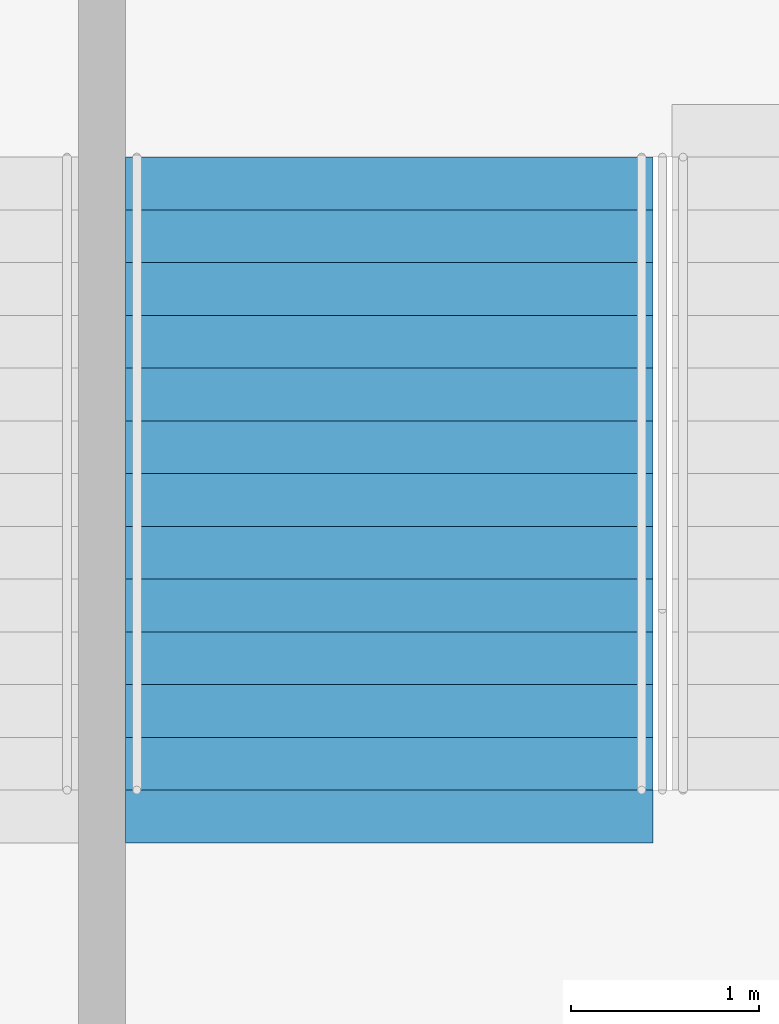
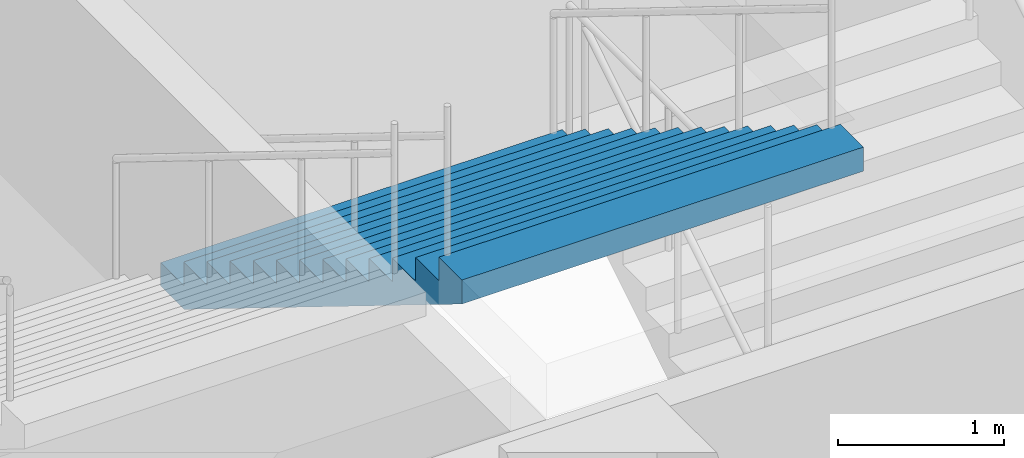
# One storey, part 150 of 177: 1 stair flight, 1 element without a shape of its own.
"""IFC4 building model written with IfcOpenShell, lengths in metres."""

from ifc_helpers import new_model, si_unit, direction, frame, origin, place, context, subcontext, project, spatial, faceted_brep, material, type_object, element, aggregate, save


model = new_model("IFC4")

# Units and contexts
model_context = context("Model", 3, precision=1e-05, world=origin(), true_north=direction((0.0, 1.0)))
body_context = subcontext(model_context, "Body", "Model", "MODEL_VIEW")
ifc_project = project(units=[si_unit("LENGTHUNIT", "METRE"), si_unit("AREAUNIT", "SQUARE_METRE"), si_unit("VOLUMEUNIT", "CUBIC_METRE"), si_unit("PLANEANGLEUNIT", "RADIAN"), si_unit("MASSUNIT", "GRAM", prefix="KILO")], contexts=[model_context])

# Site, building, storey
site_placement = place(None, origin())
site = spatial("IfcSite", under=ifc_project, at=site_placement, CompositionType="ELEMENT")
building_placement = place(site_placement, origin())
building = spatial("IfcBuilding", under=site, at=building_placement, Name="Ogive Plaza Stadium", CompositionType="ELEMENT")
storey_placement = place(building_placement, frame((0.0, 0.0, 18.0)))
storey = spatial("IfcBuildingStorey", under=building, at=storey_placement, Name="L04", CompositionType="ELEMENT", Elevation=18.0)

# Stair, stair flight
ifc_material_1 = material(Name="Concrete C40/50", Category="concrete")
stair_type = type_object("IfcStairType", Name="Exit stair", PredefinedType="STRAIGHT_RUN_STAIR", material=ifc_material_1)
stair_placement = place(storey_placement, origin())
stair = element("IfcStair", 1, at=stair_placement, inside=storey, type_object=stair_type, Name="Exit stair ST36A L04 to L05", PredefinedType="STRAIGHT_RUN_STAIR")
ifc_material_2 = material(Name="Concrete C40/50", Category="concrete")
stair_flight_type = type_object("IfcStairFlightType", Name="Exit stair flight", PredefinedType="STRAIGHT", material=ifc_material_2)
stair_flight_placement = place(storey_placement, frame((21.925048828125, 98.2099609375, 2.25), z_axis=(0.0, 0.0, 1.0), x_axis=(0.0, -1.0, 0.0)))
stair_flight = element("IfcStairFlight", 2, at=stair_flight_placement, type_object=stair_flight_type, Name="ST36A flight 2", NumberOfRisers=13, NumberOfTreads=12, PredefinedType="STRAIGHT", RiserHeight=0.173076923, TreadLength=0.28, context=body_context, shape_type="Brep", body=[
    faceted_brep([(0.28515625, -1.39990234375, 0.0), (3.639892578125, -1.39990234375, 2.07373046875), (3.639892578125, -1.39990234375, 2.25), (3.360107421875, -1.39990234375, 2.25), (3.360107421875, -1.39990234375, 2.076904296875), (3.080078125, -1.39990234375, 2.076904296875), (3.080078125, -1.39990234375, 1.90380859375), (2.800048828125, -1.39990234375, 1.90380859375), (2.800048828125, -1.39990234375, 1.730712890625), (2.52001953125, -1.39990234375, 1.730712890625), (2.52001953125, -1.39990234375, 1.5576171875), (2.239990234375, -1.39990234375, 1.5576171875), (2.239990234375, -1.39990234375, 1.384521484375), (1.9599609375, -1.39990234375, 1.384521484375), (1.9599609375, -1.39990234375, 1.21142578125), (1.679931640625, -1.39990234375, 1.21142578125), (1.679931640625, -1.39990234375, 1.03857421875), (1.39990234375, -1.39990234375, 1.03857421875), (1.39990234375, -1.39990234375, 0.865478515625), (1.1201171875, -1.39990234375, 0.865478515625), (1.1201171875, -1.39990234375, 0.6923828125), (0.840087890625, -1.39990234375, 0.6923828125), (0.840087890625, -1.39990234375, 0.519287109375), (0.56005859375, -1.39990234375, 0.519287109375), (0.56005859375, -1.39990234375, 0.34619140625), (0.280029296875, -1.39990234375, 0.34619140625), (0.280029296875, -1.39990234375, 0.173095703125), (0.0, -1.39990234375, 0.173095703125), (0.0, -1.39990234375, 0.0), (0.0, 1.39990234375, 0.0), (0.0, 1.39990234375, 0.173095703125), (0.280029296875, 1.39990234375, 0.173095703125), (0.280029296875, 1.39990234375, 0.34619140625), (0.56005859375, 1.39990234375, 0.34619140625), (0.56005859375, 1.39990234375, 0.519287109375), (0.840087890625, 1.39990234375, 0.519287109375), (0.840087890625, 1.39990234375, 0.6923828125), (1.1201171875, 1.39990234375, 0.6923828125), (1.1201171875, 1.39990234375, 0.865478515625), (1.39990234375, 1.39990234375, 0.865478515625), (1.39990234375, 1.39990234375, 1.03857421875), (1.679931640625, 1.39990234375, 1.03857421875), (1.679931640625, 1.39990234375, 1.21142578125), (1.9599609375, 1.39990234375, 1.21142578125), (1.9599609375, 1.39990234375, 1.384521484375), (2.239990234375, 1.39990234375, 1.384521484375), (2.239990234375, 1.39990234375, 1.5576171875), (2.52001953125, 1.39990234375, 1.5576171875), (2.52001953125, 1.39990234375, 1.730712890625), (2.800048828125, 1.39990234375, 1.730712890625), (2.800048828125, 1.39990234375, 1.90380859375), (3.080078125, 1.39990234375, 1.90380859375), (3.080078125, 1.39990234375, 2.076904296875), (3.360107421875, 1.39990234375, 2.076904296875), (3.360107421875, 1.39990234375, 2.25), (3.639892578125, 1.39990234375, 2.25), (3.639892578125, 1.39990234375, 2.07373046875), (0.28515625, 1.39990234375, 0.0), (0.28515625, -1.0888671875, 0.0), (3.639892578125, -1.0888671875, 2.07373046875), (0.28515625, -0.77783203125, 0.0), (3.639892578125, -0.77783203125, 2.07373046875), (0.28515625, -0.466796875, 0.0), (3.639892578125, -0.466796875, 2.07373046875), (0.28515625, -0.155517578125, 0.0), (3.639892578125, -0.155517578125, 2.07373046875), (0.28515625, 0.155517578125, 0.0), (3.639892578125, 0.155517578125, 2.07373046875), (0.28515625, 0.466796875, 0.0), (3.639892578125, 0.466796875, 2.07373046875), (0.28515625, 0.77783203125, 0.0), (3.639892578125, 0.77783203125, 2.07373046875), (0.28515625, 1.0888671875, 0.0), (3.639892578125, 1.0888671875, 2.07373046875), (3.639892578125, -1.0888671875, 2.25), (3.639892578125, -0.77783203125, 2.25), (3.639892578125, -0.466796875, 2.25), (3.639892578125, -0.155517578125, 2.25), (3.639892578125, 0.155517578125, 2.25), (3.639892578125, 0.466796875, 2.25), (3.639892578125, 0.77783203125, 2.25), (3.639892578125, 1.0888671875, 2.25), (3.360107421875, -1.0888671875, 2.25), (3.360107421875, -0.77783203125, 2.25), (3.360107421875, -0.466796875, 2.25), (3.360107421875, -0.155517578125, 2.25), (3.360107421875, 0.155517578125, 2.25), (3.360107421875, 0.466796875, 2.25), (3.360107421875, 0.77783203125, 2.25), (3.360107421875, 1.0888671875, 2.25), (3.360107421875, -1.0888671875, 2.076904296875), (3.360107421875, -0.77783203125, 2.076904296875), (3.360107421875, -0.466796875, 2.076904296875), (3.360107421875, -0.155517578125, 2.076904296875), (3.360107421875, 0.155517578125, 2.076904296875), (3.360107421875, 0.466796875, 2.076904296875), (3.360107421875, 0.77783203125, 2.076904296875), (3.360107421875, 1.0888671875, 2.076904296875), (3.080078125, -1.0888671875, 2.076904296875), (3.080078125, -0.77783203125, 2.076904296875), (3.080078125, -0.466796875, 2.076904296875), (3.080078125, -0.155517578125, 2.076904296875), (3.080078125, 0.155517578125, 2.076904296875), (3.080078125, 0.466796875, 2.076904296875), (3.080078125, 0.77783203125, 2.076904296875), (3.080078125, 1.0888671875, 2.076904296875), (3.080078125, -1.0888671875, 1.90380859375), (3.080078125, -0.77783203125, 1.90380859375), (3.080078125, -0.466796875, 1.90380859375), (3.080078125, -0.155517578125, 1.90380859375), (3.080078125, 0.155517578125, 1.90380859375), (3.080078125, 0.466796875, 1.90380859375), (3.080078125, 0.77783203125, 1.90380859375), (3.080078125, 1.0888671875, 1.90380859375), (2.800048828125, -1.0888671875, 1.90380859375), (2.800048828125, -0.77783203125, 1.90380859375), (2.800048828125, -0.466796875, 1.90380859375), (2.800048828125, -0.155517578125, 1.90380859375), (2.800048828125, 0.155517578125, 1.90380859375), (2.800048828125, 0.466796875, 1.90380859375), (2.800048828125, 0.77783203125, 1.90380859375), (2.800048828125, 1.0888671875, 1.90380859375), (2.800048828125, -1.0888671875, 1.730712890625), (2.800048828125, -0.77783203125, 1.730712890625), (2.800048828125, -0.466796875, 1.730712890625), (2.800048828125, -0.155517578125, 1.730712890625), (2.800048828125, 0.155517578125, 1.730712890625), (2.800048828125, 0.466796875, 1.730712890625), (2.800048828125, 0.77783203125, 1.730712890625), (2.800048828125, 1.0888671875, 1.730712890625), (2.52001953125, -1.0888671875, 1.730712890625), (2.52001953125, -0.77783203125, 1.730712890625), (2.52001953125, -0.466796875, 1.730712890625), (2.52001953125, -0.155517578125, 1.730712890625), (2.52001953125, 0.155517578125, 1.730712890625), (2.52001953125, 0.466796875, 1.730712890625), (2.52001953125, 0.77783203125, 1.730712890625), (2.52001953125, 1.0888671875, 1.730712890625), (2.52001953125, -1.0888671875, 1.5576171875), (2.52001953125, -0.77783203125, 1.5576171875), (2.52001953125, -0.466796875, 1.5576171875), (2.52001953125, -0.155517578125, 1.5576171875), (2.52001953125, 0.155517578125, 1.5576171875), (2.52001953125, 0.466796875, 1.5576171875), (2.52001953125, 0.77783203125, 1.5576171875), (2.52001953125, 1.0888671875, 1.5576171875), (2.239990234375, -1.0888671875, 1.5576171875), (2.239990234375, -0.77783203125, 1.5576171875), (2.239990234375, -0.466796875, 1.5576171875), (2.239990234375, -0.155517578125, 1.5576171875), (2.239990234375, 0.155517578125, 1.5576171875), (2.239990234375, 0.466796875, 1.5576171875), (2.239990234375, 0.77783203125, 1.5576171875), (2.239990234375, 1.0888671875, 1.5576171875), (2.239990234375, -1.0888671875, 1.384521484375), (2.239990234375, -0.77783203125, 1.384521484375), (2.239990234375, -0.466796875, 1.384521484375), (2.239990234375, -0.155517578125, 1.384521484375), (2.239990234375, 0.155517578125, 1.384521484375), (2.239990234375, 0.466796875, 1.384521484375), (2.239990234375, 0.77783203125, 1.384521484375), (2.239990234375, 1.0888671875, 1.384521484375), (1.9599609375, -1.0888671875, 1.384521484375), (1.9599609375, -0.77783203125, 1.384521484375), (1.9599609375, -0.466796875, 1.384521484375), (1.9599609375, -0.155517578125, 1.384521484375), (1.9599609375, 0.155517578125, 1.384521484375), (1.9599609375, 0.466796875, 1.384521484375), (1.9599609375, 0.77783203125, 1.384521484375), (1.9599609375, 1.0888671875, 1.384521484375), (1.9599609375, -1.0888671875, 1.21142578125), (1.9599609375, -0.77783203125, 1.21142578125), (1.9599609375, -0.466796875, 1.21142578125), (1.9599609375, -0.155517578125, 1.21142578125), (1.9599609375, 0.155517578125, 1.21142578125), (1.9599609375, 0.466796875, 1.21142578125), (1.9599609375, 0.77783203125, 1.21142578125), (1.9599609375, 1.0888671875, 1.21142578125), (1.679931640625, -1.0888671875, 1.21142578125), (1.679931640625, -0.77783203125, 1.21142578125), (1.679931640625, -0.466796875, 1.21142578125), (1.679931640625, -0.155517578125, 1.21142578125), (1.679931640625, 0.155517578125, 1.21142578125), (1.679931640625, 0.466796875, 1.21142578125), (1.679931640625, 0.77783203125, 1.21142578125), (1.679931640625, 1.0888671875, 1.21142578125), (1.679931640625, -1.0888671875, 1.03857421875), (1.679931640625, -0.77783203125, 1.03857421875), (1.679931640625, -0.466796875, 1.03857421875), (1.679931640625, -0.155517578125, 1.03857421875), (1.679931640625, 0.155517578125, 1.03857421875), (1.679931640625, 0.466796875, 1.03857421875), (1.679931640625, 0.77783203125, 1.03857421875), (1.679931640625, 1.0888671875, 1.03857421875), (1.39990234375, -1.0888671875, 1.03857421875), (1.39990234375, -0.77783203125, 1.03857421875), (1.39990234375, -0.466796875, 1.03857421875), (1.39990234375, -0.155517578125, 1.03857421875), (1.39990234375, 0.155517578125, 1.03857421875), (1.39990234375, 0.466796875, 1.03857421875), (1.39990234375, 0.77783203125, 1.03857421875), (1.39990234375, 1.0888671875, 1.03857421875), (1.39990234375, -1.0888671875, 0.865478515625), (1.39990234375, -0.77783203125, 0.865478515625), (1.39990234375, -0.466796875, 0.865478515625), (1.39990234375, -0.155517578125, 0.865478515625), (1.39990234375, 0.155517578125, 0.865478515625), (1.39990234375, 0.466796875, 0.865478515625), (1.39990234375, 0.77783203125, 0.865478515625), (1.39990234375, 1.0888671875, 0.865478515625), (1.1201171875, -1.0888671875, 0.865478515625), (1.1201171875, -0.77783203125, 0.865478515625), (1.1201171875, -0.466796875, 0.865478515625), (1.1201171875, -0.155517578125, 0.865478515625), (1.1201171875, 0.155517578125, 0.865478515625), (1.1201171875, 0.466796875, 0.865478515625), (1.1201171875, 0.77783203125, 0.865478515625), (1.1201171875, 1.0888671875, 0.865478515625), (1.1201171875, -1.0888671875, 0.6923828125), (1.1201171875, -0.77783203125, 0.6923828125), (1.1201171875, -0.466796875, 0.6923828125), (1.1201171875, -0.155517578125, 0.6923828125), (1.1201171875, 0.155517578125, 0.6923828125), (1.1201171875, 0.466796875, 0.6923828125), (1.1201171875, 0.77783203125, 0.6923828125), (1.1201171875, 1.0888671875, 0.6923828125), (0.840087890625, -1.0888671875, 0.6923828125), (0.840087890625, -0.77783203125, 0.6923828125), (0.840087890625, -0.466796875, 0.6923828125), (0.840087890625, -0.155517578125, 0.6923828125), (0.840087890625, 0.155517578125, 0.6923828125), (0.840087890625, 0.466796875, 0.6923828125), (0.840087890625, 0.77783203125, 0.6923828125), (0.840087890625, 1.0888671875, 0.6923828125), (0.840087890625, -1.0888671875, 0.519287109375), (0.840087890625, -0.77783203125, 0.519287109375), (0.840087890625, -0.466796875, 0.519287109375), (0.840087890625, -0.155517578125, 0.519287109375), (0.840087890625, 0.155517578125, 0.519287109375), (0.840087890625, 0.466796875, 0.519287109375), (0.840087890625, 0.77783203125, 0.519287109375), (0.840087890625, 1.0888671875, 0.519287109375), (0.56005859375, -1.0888671875, 0.519287109375), (0.56005859375, -0.77783203125, 0.519287109375), (0.56005859375, -0.466796875, 0.519287109375), (0.56005859375, -0.155517578125, 0.519287109375), (0.56005859375, 0.155517578125, 0.519287109375), (0.56005859375, 0.466796875, 0.519287109375), (0.56005859375, 0.77783203125, 0.519287109375), (0.56005859375, 1.0888671875, 0.519287109375), (0.56005859375, -1.0888671875, 0.34619140625), (0.56005859375, -0.77783203125, 0.34619140625), (0.56005859375, -0.466796875, 0.34619140625), (0.56005859375, -0.155517578125, 0.34619140625), (0.56005859375, 0.155517578125, 0.34619140625), (0.56005859375, 0.466796875, 0.34619140625), (0.56005859375, 0.77783203125, 0.34619140625), (0.56005859375, 1.0888671875, 0.34619140625), (0.280029296875, -1.0888671875, 0.34619140625), (0.280029296875, -0.77783203125, 0.34619140625), (0.280029296875, -0.466796875, 0.34619140625), (0.280029296875, -0.155517578125, 0.34619140625), (0.280029296875, 0.155517578125, 0.34619140625), (0.280029296875, 0.466796875, 0.34619140625), (0.280029296875, 0.77783203125, 0.34619140625), (0.280029296875, 1.0888671875, 0.34619140625), (0.280029296875, -1.0888671875, 0.173095703125), (0.280029296875, -0.77783203125, 0.173095703125), (0.280029296875, -0.466796875, 0.173095703125), (0.280029296875, -0.155517578125, 0.173095703125), (0.280029296875, 0.155517578125, 0.173095703125), (0.280029296875, 0.466796875, 0.173095703125), (0.280029296875, 0.77783203125, 0.173095703125), (0.280029296875, 1.0888671875, 0.173095703125), (0.0, -1.0888671875, 0.173095703125), (0.0, -0.77783203125, 0.173095703125), (0.0, -0.466796875, 0.173095703125), (0.0, -0.155517578125, 0.173095703125), (0.0, 0.155517578125, 0.173095703125), (0.0, 0.466796875, 0.173095703125), (0.0, 0.77783203125, 0.173095703125), (0.0, 1.0888671875, 0.173095703125), (0.0, -1.0888671875, 0.0), (0.0, -0.77783203125, 0.0), (0.0, -0.466796875, 0.0), (0.0, -0.155517578125, 0.0), (0.0, 0.155517578125, 0.0), (0.0, 0.466796875, 0.0), (0.0, 0.77783203125, 0.0), (0.0, 1.0888671875, 0.0)], [[[0, 1, 2, 3, 4, 5, 6, 7, 8, 9, 10, 11, 12, 13, 14, 15, 16, 17, 18, 19, 20, 21, 22, 23, 24, 25, 26, 27, 28]], [[29, 30, 31, 32, 33, 34, 35, 36, 37, 38, 39, 40, 41, 42, 43, 44, 45, 46, 47, 48, 49, 50, 51, 52, 53, 54, 55, 56, 57]], [[0, 58, 59, 1]], [[58, 60, 61, 59]], [[60, 62, 63, 61]], [[62, 64, 65, 63]], [[64, 66, 67, 65]], [[66, 68, 69, 67]], [[68, 70, 71, 69]], [[70, 72, 73, 71]], [[72, 57, 56, 73]], [[1, 59, 74, 2]], [[59, 61, 75, 74]], [[61, 63, 76, 75]], [[63, 65, 77, 76]], [[65, 67, 78, 77]], [[67, 69, 79, 78]], [[69, 71, 80, 79]], [[71, 73, 81, 80]], [[73, 56, 55, 81]], [[2, 74, 82, 3]], [[74, 75, 83, 82]], [[75, 76, 84, 83]], [[76, 77, 85, 84]], [[77, 78, 86, 85]], [[78, 79, 87, 86]], [[79, 80, 88, 87]], [[80, 81, 89, 88]], [[81, 55, 54, 89]], [[3, 82, 90, 4]], [[82, 83, 91, 90]], [[83, 84, 92, 91]], [[84, 85, 93, 92]], [[85, 86, 94, 93]], [[86, 87, 95, 94]], [[87, 88, 96, 95]], [[88, 89, 97, 96]], [[89, 54, 53, 97]], [[4, 90, 98, 5]], [[90, 91, 99, 98]], [[91, 92, 100, 99]], [[92, 93, 101, 100]], [[93, 94, 102, 101]], [[94, 95, 103, 102]], [[95, 96, 104, 103]], [[96, 97, 105, 104]], [[97, 53, 52, 105]], [[5, 98, 106, 6]], [[98, 99, 107, 106]], [[99, 100, 108, 107]], [[100, 101, 109, 108]], [[101, 102, 110, 109]], [[102, 103, 111, 110]], [[103, 104, 112, 111]], [[104, 105, 113, 112]], [[105, 52, 51, 113]], [[6, 106, 114, 7]], [[106, 107, 115, 114]], [[107, 108, 116, 115]], [[108, 109, 117, 116]], [[109, 110, 118, 117]], [[110, 111, 119, 118]], [[111, 112, 120, 119]], [[112, 113, 121, 120]], [[113, 51, 50, 121]], [[7, 114, 122, 8]], [[114, 115, 123, 122]], [[115, 116, 124, 123]], [[116, 117, 125, 124]], [[117, 118, 126, 125]], [[118, 119, 127, 126]], [[119, 120, 128, 127]], [[120, 121, 129, 128]], [[121, 50, 49, 129]], [[8, 122, 130, 9]], [[122, 123, 131, 130]], [[123, 124, 132, 131]], [[124, 125, 133, 132]], [[125, 126, 134, 133]], [[126, 127, 135, 134]], [[127, 128, 136, 135]], [[128, 129, 137, 136]], [[129, 49, 48, 137]], [[9, 130, 138, 10]], [[130, 131, 139, 138]], [[131, 132, 140, 139]], [[132, 133, 141, 140]], [[133, 134, 142, 141]], [[134, 135, 143, 142]], [[135, 136, 144, 143]], [[136, 137, 145, 144]], [[137, 48, 47, 145]], [[10, 138, 146, 11]], [[138, 139, 147, 146]], [[139, 140, 148, 147]], [[140, 141, 149, 148]], [[141, 142, 150, 149]], [[142, 143, 151, 150]], [[143, 144, 152, 151]], [[144, 145, 153, 152]], [[145, 47, 46, 153]], [[11, 146, 154, 12]], [[146, 147, 155, 154]], [[147, 148, 156, 155]], [[148, 149, 157, 156]], [[149, 150, 158, 157]], [[150, 151, 159, 158]], [[151, 152, 160, 159]], [[152, 153, 161, 160]], [[153, 46, 45, 161]], [[12, 154, 162, 13]], [[154, 155, 163, 162]], [[155, 156, 164, 163]], [[156, 157, 165, 164]], [[157, 158, 166, 165]], [[158, 159, 167, 166]], [[159, 160, 168, 167]], [[160, 161, 169, 168]], [[161, 45, 44, 169]], [[13, 162, 170, 14]], [[162, 163, 171, 170]], [[163, 164, 172, 171]], [[164, 165, 173, 172]], [[165, 166, 174, 173]], [[166, 167, 175, 174]], [[167, 168, 176, 175]], [[168, 169, 177, 176]], [[169, 44, 43, 177]], [[14, 170, 178, 15]], [[170, 171, 179, 178]], [[171, 172, 180, 179]], [[172, 173, 181, 180]], [[173, 174, 182, 181]], [[174, 175, 183, 182]], [[175, 176, 184, 183]], [[176, 177, 185, 184]], [[177, 43, 42, 185]], [[15, 178, 186, 16]], [[178, 179, 187, 186]], [[179, 180, 188, 187]], [[180, 181, 189, 188]], [[181, 182, 190, 189]], [[182, 183, 191, 190]], [[183, 184, 192, 191]], [[184, 185, 193, 192]], [[185, 42, 41, 193]], [[16, 186, 194, 17]], [[186, 187, 195, 194]], [[187, 188, 196, 195]], [[188, 189, 197, 196]], [[189, 190, 198, 197]], [[190, 191, 199, 198]], [[191, 192, 200, 199]], [[192, 193, 201, 200]], [[193, 41, 40, 201]], [[17, 194, 202, 18]], [[194, 195, 203, 202]], [[195, 196, 204, 203]], [[196, 197, 205, 204]], [[197, 198, 206, 205]], [[198, 199, 207, 206]], [[199, 200, 208, 207]], [[200, 201, 209, 208]], [[201, 40, 39, 209]], [[18, 202, 210, 19]], [[202, 203, 211, 210]], [[203, 204, 212, 211]], [[204, 205, 213, 212]], [[205, 206, 214, 213]], [[206, 207, 215, 214]], [[207, 208, 216, 215]], [[208, 209, 217, 216]], [[209, 39, 38, 217]], [[19, 210, 218, 20]], [[210, 211, 219, 218]], [[211, 212, 220, 219]], [[212, 213, 221, 220]], [[213, 214, 222, 221]], [[214, 215, 223, 222]], [[215, 216, 224, 223]], [[216, 217, 225, 224]], [[217, 38, 37, 225]], [[20, 218, 226, 21]], [[218, 219, 227, 226]], [[219, 220, 228, 227]], [[220, 221, 229, 228]], [[221, 222, 230, 229]], [[222, 223, 231, 230]], [[223, 224, 232, 231]], [[224, 225, 233, 232]], [[225, 37, 36, 233]], [[21, 226, 234, 22]], [[226, 227, 235, 234]], [[227, 228, 236, 235]], [[228, 229, 237, 236]], [[229, 230, 238, 237]], [[230, 231, 239, 238]], [[231, 232, 240, 239]], [[232, 233, 241, 240]], [[233, 36, 35, 241]], [[22, 234, 242, 23]], [[234, 235, 243, 242]], [[235, 236, 244, 243]], [[236, 237, 245, 244]], [[237, 238, 246, 245]], [[238, 239, 247, 246]], [[239, 240, 248, 247]], [[240, 241, 249, 248]], [[241, 35, 34, 249]], [[23, 242, 250, 24]], [[242, 243, 251, 250]], [[243, 244, 252, 251]], [[244, 245, 253, 252]], [[245, 246, 254, 253]], [[246, 247, 255, 254]], [[247, 248, 256, 255]], [[248, 249, 257, 256]], [[249, 34, 33, 257]], [[24, 250, 258, 25]], [[250, 251, 259, 258]], [[251, 252, 260, 259]], [[252, 253, 261, 260]], [[253, 254, 262, 261]], [[254, 255, 263, 262]], [[255, 256, 264, 263]], [[256, 257, 265, 264]], [[257, 33, 32, 265]], [[25, 258, 266, 26]], [[258, 259, 267, 266]], [[259, 260, 268, 267]], [[260, 261, 269, 268]], [[261, 262, 270, 269]], [[262, 263, 271, 270]], [[263, 264, 272, 271]], [[264, 265, 273, 272]], [[265, 32, 31, 273]], [[26, 266, 274, 27]], [[266, 267, 275, 274]], [[267, 268, 276, 275]], [[268, 269, 277, 276]], [[269, 270, 278, 277]], [[270, 271, 279, 278]], [[271, 272, 280, 279]], [[272, 273, 281, 280]], [[273, 31, 30, 281]], [[27, 274, 282, 28]], [[274, 275, 283, 282]], [[275, 276, 284, 283]], [[276, 277, 285, 284]], [[277, 278, 286, 285]], [[278, 279, 287, 286]], [[279, 280, 288, 287]], [[280, 281, 289, 288]], [[281, 30, 29, 289]], [[28, 282, 58, 0]], [[282, 283, 60, 58]], [[283, 284, 62, 60]], [[284, 285, 64, 62]], [[285, 286, 66, 64]], [[286, 287, 68, 66]], [[287, 288, 70, 68]], [[288, 289, 72, 70]], [[289, 29, 57, 72]]]),
])
aggregate(stair, [stair_flight])

save(model, "model.ifc")
